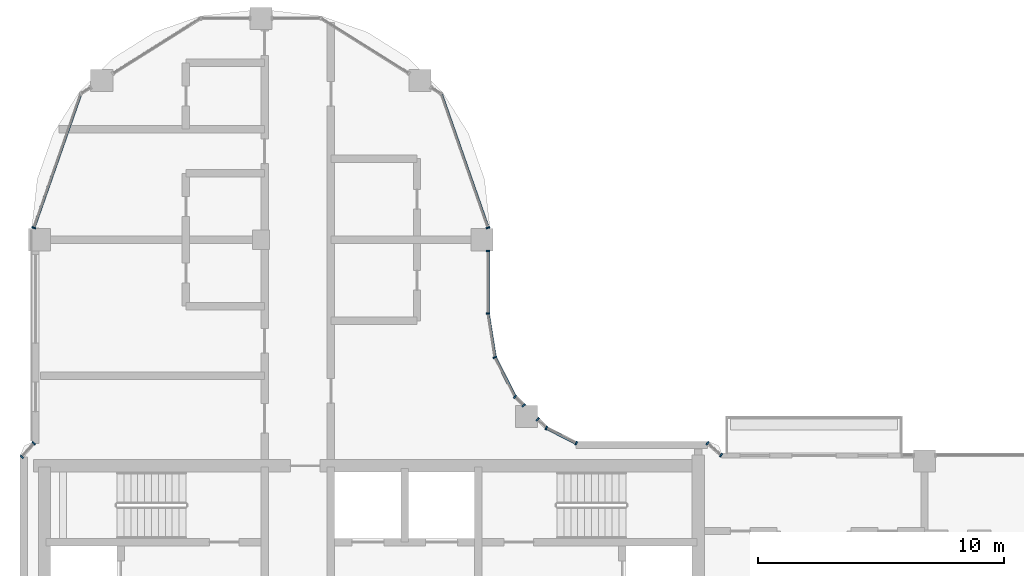
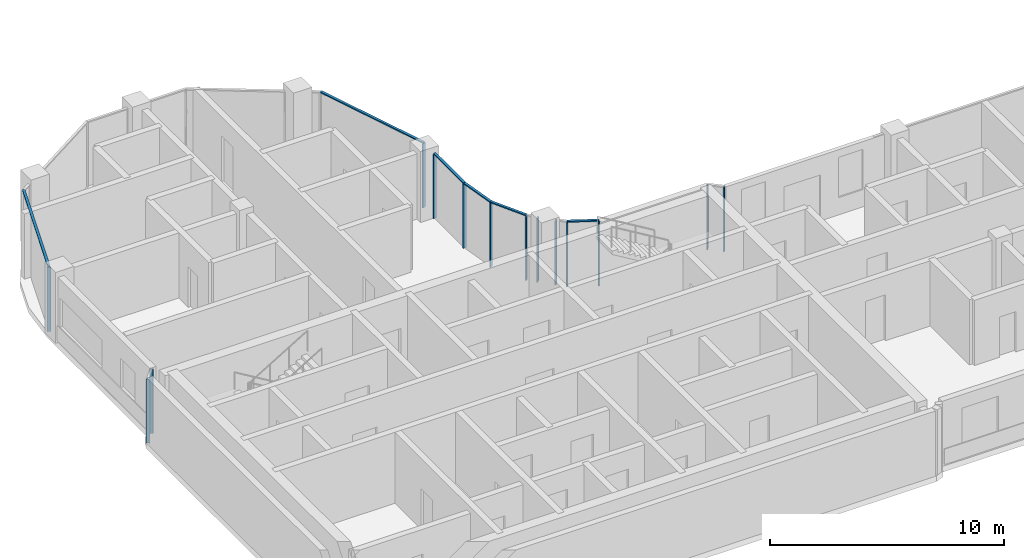
# One storey, part 2 of 19: 20 members, 7 elements without a shape of their own.
"""IFC4 building model written with IfcOpenShell, lengths in metres."""

from ifc_helpers import new_model, si_unit, direction, frame, origin, origin_2d, place, context, subcontext, project, spatial, rectangle, extrude, material, material_profile, profile_set, type_object, element, aggregate, save


model = new_model("IFC4")

# Units and contexts
model_context = context("Model", 3, precision=1e-05, world=origin(), true_north=direction((0.0, 1.0)))
body_context = subcontext(model_context, "Body", "Model", "MODEL_VIEW")
ifc_project = project(units=[si_unit("LENGTHUNIT", "METRE"), si_unit("AREAUNIT", "SQUARE_METRE"), si_unit("VOLUMEUNIT", "CUBIC_METRE"), si_unit("PLANEANGLEUNIT", "RADIAN"), si_unit("MASSUNIT", "GRAM", prefix="KILO")], contexts=[model_context])

# Site, building, storey
site_placement = place(None, origin())
site = spatial("IfcSite", under=ifc_project, at=site_placement, CompositionType="ELEMENT")
building_placement = place(site_placement, origin())
building = spatial("IfcBuilding", under=site, at=building_placement, Name="Ogive Portal Towers", CompositionType="ELEMENT")
storey_placement = place(building_placement, frame((0.0, 0.0, 218.0)))
storey = spatial("IfcBuildingStorey", under=building, at=storey_placement, Name="L54", CompositionType="ELEMENT", Elevation=218.0)

# Curtain wall, members
ifc_material_1 = material(Name="Glass, clear low-iron insulated glazing", Category="glass")
curtain_wall_type = type_object("IfcCurtainWallType", Name="CW FRONT RIBBON 4500", PredefinedType="NOTDEFINED", material=ifc_material_1)
curtain_wall_1_placement = place(storey_placement, origin())
curtain_wall_1 = element("IfcCurtainWall", 1, at=curtain_wall_1_placement, inside=storey, type_object=curtain_wall_type, Name="A:L54:f06:cw0", PredefinedType="NOTDEFINED")
ifc_material_2 = material(Name="Aluminium 6063 anodised", Category="aluminium")
ifc_material_profile_1 = material_profile(ifc_material_2, rectangle(XDim=0.159912109375, YDim=0.06005859375, at=origin_2d()), Name="AL 60x160")
ifc_profile_set_1 = profile_set([ifc_material_profile_1], Name="Aluminium 6063 anodised")
member_type_1 = type_object("IfcMemberType", Name="CW MULLION 60x160", PredefinedType="MULLION", material=ifc_profile_set_1)
member_1_placement = place(storey_placement, frame((49.739990234375, 45.49365234375, 0.0), z_axis=(0.0, 0.0, 1.0), x_axis=(-1.0, 0.0, 0.0)))
member_1 = element("IfcMember", 2, at=member_1_placement, type_object=member_type_1, Name="mullion", PredefinedType="MULLION", context=body_context, shape_type="SweptSolid", body=[
    extrude(rectangle(XDim=0.159912109375, YDim=0.06005859375, at=origin_2d()), origin(), (0.0, 0.0, 1.0), 3.340087890625),
])
member_2_placement = place(storey_placement, frame((49.739990234375, 48.050048828125, 0.0), z_axis=(0.0, 0.0, 1.0), x_axis=(-1.0, 0.0, 0.0)))
member_2 = element("IfcMember", 3, at=member_2_placement, type_object=member_type_1, Name="mullion", PredefinedType="MULLION", context=body_context, shape_type="SweptSolid", body=[
    extrude(rectangle(XDim=0.159912109375, YDim=0.06005859375, at=origin_2d()), origin(), (0.0, 0.0, 1.0), 3.340087890625),
])

curtain_wall_2_placement = place(storey_placement, origin())
curtain_wall_2 = element("IfcCurtainWall", 4, at=curtain_wall_2_placement, inside=storey, type_object=curtain_wall_type, Name="A:L54:f00:cwa", PredefinedType="NOTDEFINED")
member_3_placement = place(storey_placement, frame((59.22021484375, 39.739990234375, 0.0), z_axis=(0.0, 0.0, 1.0), x_axis=(-0.657334513087, -0.753598923768, 0.0)))
member_3 = element("IfcMember", 5, at=member_3_placement, type_object=member_type_1, Name="mullion", PredefinedType="MULLION", context=body_context, shape_type="SweptSolid", body=[
    extrude(rectangle(XDim=0.159912109375, YDim=0.06005859375, at=origin_2d()), origin(), (0.0, 0.0, 1.0), 3.340087890625),
])
member_4_placement = place(storey_placement, frame((58.669921875, 40.219970703125, 0.0), z_axis=(0.0, 0.0, 1.0), x_axis=(-0.657334513087, -0.753598923768, 0.0)))
member_4 = element("IfcMember", 6, at=member_4_placement, type_object=member_type_1, Name="mullion", PredefinedType="MULLION", context=body_context, shape_type="SweptSolid", body=[
    extrude(rectangle(XDim=0.159912109375, YDim=0.06005859375, at=origin_2d()), origin(), (0.0, 0.0, 1.0), 3.340087890625),
])
aggregate(curtain_wall_2, [member_3, member_4])

curtain_wall_3_placement = place(storey_placement, origin())
curtain_wall_3 = element("IfcCurtainWall", 7, at=curtain_wall_3_placement, inside=storey, type_object=curtain_wall_type, Name="A:L54:f02:cwa~0", PredefinedType="NOTDEFINED")
member_5_placement = place(storey_placement, frame((53.3291015625, 40.219970703125, 0.0), z_axis=(0.0, 0.0, 1.0), x_axis=(-0.45399049974, -0.891006524188, 0.0)))
member_5 = element("IfcMember", 8, at=member_5_placement, type_object=member_type_1, Name="mullion", PredefinedType="MULLION", context=body_context, shape_type="SweptSolid", body=[
    extrude(rectangle(XDim=0.159912109375, YDim=0.06005859375, at=origin_2d()), origin(), (0.0, 0.0, 1.0), 3.340087890625),
])
member_6_placement = place(storey_placement, frame((52.11376953125, 40.83935546875, 0.0), z_axis=(0.0, 0.0, 1.0), x_axis=(-0.45399049974, -0.891006524188, 0.0)))
member_6 = element("IfcMember", 9, at=member_6_placement, type_object=member_type_1, Name="mullion", PredefinedType="MULLION", context=body_context, shape_type="SweptSolid", body=[
    extrude(rectangle(XDim=0.159912109375, YDim=0.06005859375, at=origin_2d()), origin(), (0.0, 0.0, 1.0), 3.340087890625),
])
member_7_placement = place(storey_placement, frame((51.760009765625, 41.193115234375, 0.0), z_axis=(0.0, 0.0, 1.0), x_axis=(-0.707106781187, -0.707106781187, 0.0)))
member_7 = element("IfcMember", 10, at=member_7_placement, type_object=member_type_1, Name="mullion", PredefinedType="MULLION", context=body_context, shape_type="SweptSolid", body=[
    extrude(rectangle(XDim=0.159912109375, YDim=0.06005859375, at=origin_2d()), origin(), (0.0, 0.0, 1.0), 3.340087890625),
])

curtain_wall_4_placement = place(storey_placement, origin())
curtain_wall_4 = element("IfcCurtainWall", 11, at=curtain_wall_4_placement, inside=storey, type_object=curtain_wall_type, Name="A:L54:f02:cwa~1", PredefinedType="NOTDEFINED")
member_8_placement = place(storey_placement, frame((51.193115234375, 41.760009765625, 0.0), z_axis=(0.0, 0.0, 1.0), x_axis=(-0.707106781187, -0.707106781187, 0.0)))
member_8 = element("IfcMember", 12, at=member_8_placement, type_object=member_type_1, Name="mullion", PredefinedType="MULLION", context=body_context, shape_type="SweptSolid", body=[
    extrude(rectangle(XDim=0.159912109375, YDim=0.06005859375, at=origin_2d()), origin(), (0.0, 0.0, 1.0), 3.340087890625),
])
member_9_placement = place(storey_placement, frame((50.83935546875, 42.11376953125, 0.0), z_axis=(0.0, 0.0, 1.0), x_axis=(-0.707106781187, -0.707106781187, 0.0)))
member_9 = element("IfcMember", 13, at=member_9_placement, type_object=member_type_1, Name="mullion", PredefinedType="MULLION", context=body_context, shape_type="SweptSolid", body=[
    extrude(rectangle(XDim=0.159912109375, YDim=0.06005859375, at=origin_2d()), origin(), (0.0, 0.0, 1.0), 3.340087890625),
])
member_10_placement = place(storey_placement, frame((50.02099609375, 43.7197265625, 0.0), z_axis=(0.0, 0.0, 1.0), x_axis=(-0.891006524188, -0.45399049974, 0.0)))
member_10 = element("IfcMember", 14, at=member_10_placement, type_object=member_type_1, Name="mullion", PredefinedType="MULLION", context=body_context, shape_type="SweptSolid", body=[
    extrude(rectangle(XDim=0.159912109375, YDim=0.06005859375, at=origin_2d()), origin(), (0.0, 0.0, 1.0), 3.340087890625),
])

# Curtain wall, member
curtain_wall_5_placement = place(storey_placement, origin())
curtain_wall_5 = element("IfcCurtainWall", 15, at=curtain_wall_5_placement, inside=storey, type_object=curtain_wall_type, Name="A:L54:f07:cwa~0", PredefinedType="NOTDEFINED")
member_11_placement = place(storey_placement, frame((49.739990234375, 48.986328125, 0.0), z_axis=(0.0, 0.0, 1.0), x_axis=(-0.943883330307, -0.33027906196, 0.0)))
member_11 = element("IfcMember", 16, at=member_11_placement, type_object=member_type_1, Name="mullion", PredefinedType="MULLION", context=body_context, shape_type="SweptSolid", body=[
    extrude(rectangle(XDim=0.159912109375, YDim=0.06005859375, at=origin_2d()), origin(), (0.0, 0.0, 1.0), 3.340087890625),
])

curtain_wall_6_placement = place(storey_placement, origin())
curtain_wall_6 = element("IfcCurtainWall", 17, at=curtain_wall_6_placement, inside=storey, type_object=curtain_wall_type, Name="A:L54:f07:cwa~3", PredefinedType="NOTDEFINED")
member_12_placement = place(storey_placement, frame((31.260009765625, 48.986328125, 0.0), z_axis=(0.0, 0.0, 1.0), x_axis=(0.943883330307, -0.33027906196, 0.0)))
member_12 = element("IfcMember", 18, at=member_12_placement, type_object=member_type_1, Name="mullion", PredefinedType="MULLION", context=body_context, shape_type="SweptSolid", body=[
    extrude(rectangle(XDim=0.159912109375, YDim=0.06005859375, at=origin_2d()), origin(), (0.0, 0.0, 1.0), 3.340087890625),
])

# Curtain wall, members
curtain_wall_7_placement = place(storey_placement, origin())
curtain_wall_7 = element("IfcCurtainWall", 19, at=curtain_wall_7_placement, inside=storey, type_object=curtain_wall_type, Name="A:L54:f13:cwa", PredefinedType="NOTDEFINED")
member_13_placement = place(storey_placement, frame((31.260009765625, 40.22021484375, 0.0), z_axis=(0.0, 0.0, 1.0), x_axis=(0.753598923768, -0.657334513087, 0.0)))
member_13 = element("IfcMember", 20, at=member_13_placement, type_object=member_type_1, Name="mullion", PredefinedType="MULLION", context=body_context, shape_type="SweptSolid", body=[
    extrude(rectangle(XDim=0.159912109375, YDim=0.06005859375, at=origin_2d()), origin(), (0.0, 0.0, 1.0), 3.340087890625),
])
member_14_placement = place(storey_placement, frame((30.780029296875, 39.669921875, 0.0), z_axis=(0.0, 0.0, 1.0), x_axis=(0.753598923768, -0.657334513087, 0.0)))
member_14 = element("IfcMember", 21, at=member_14_placement, type_object=member_type_1, Name="mullion", PredefinedType="MULLION", context=body_context, shape_type="SweptSolid", body=[
    extrude(rectangle(XDim=0.159912109375, YDim=0.06005859375, at=origin_2d()), origin(), (0.0, 0.0, 1.0), 3.340087890625),
])
aggregate(curtain_wall_7, [member_13, member_14])

# Member
ifc_material_profile_2 = material_profile(ifc_material_2, rectangle(XDim=0.1201171875, YDim=0.06005859375, at=origin_2d()), Name="AL 120x60")
ifc_profile_set_2 = profile_set([ifc_material_profile_2], Name="Aluminium 6063 anodised")
member_type_2 = type_object("IfcMemberType", Name="CW TRANSOM 60x120", PredefinedType="USERDEFINED", material=ifc_profile_set_2)
member_15_placement = place(storey_placement, frame((49.739990234375, 45.49365234375, 3.3701171875), z_axis=(0.0, 1.0, 0.0), x_axis=(-1.0, 0.0, 0.0)))
member_15 = element("IfcMember", 22, at=member_15_placement, type_object=member_type_2, Name="transom", ObjectType="TRANSOM", PredefinedType="USERDEFINED", context=body_context, shape_type="SweptSolid", body=[
    extrude(rectangle(XDim=0.1201171875, YDim=0.06005859375, at=origin_2d()), origin(), (0.0, 0.0, 1.0), 2.556396484375),
])

aggregate(curtain_wall_1, [member_15, member_1, member_2])

member_16_placement = place(storey_placement, frame((53.3291015625, 40.219970703125, 3.3701171875), z_axis=(-0.890964361459, 0.454073239257, 0.0), x_axis=(-0.454073239257, -0.890964361459, 0.0)))
member_16 = element("IfcMember", 23, at=member_16_placement, type_object=member_type_2, Name="transom", ObjectType="TRANSOM", PredefinedType="USERDEFINED", context=body_context, shape_type="SweptSolid", body=[
    extrude(rectangle(XDim=0.1201171875, YDim=0.06005859375, at=origin_2d()), origin(), (0.0, 0.0, 1.0), 1.364013671875),
])

aggregate(curtain_wall_3, [member_16, member_5, member_6, member_7])

member_17_placement = place(storey_placement, frame((50.83935546875, 42.11376953125, 3.3701171875), z_axis=(-0.45402723172, 0.890987807356, 0.0), x_axis=(-0.890987807356, -0.45402723172, 0.0)))
member_17 = element("IfcMember", 24, at=member_17_placement, type_object=member_type_2, Name="transom", ObjectType="TRANSOM", PredefinedType="USERDEFINED", context=body_context, shape_type="SweptSolid", body=[
    extrude(rectangle(XDim=0.1201171875, YDim=0.06005859375, at=origin_2d()), origin(), (0.0, 0.0, 1.0), 1.802490234375),
])

member_18_placement = place(storey_placement, frame((50.02099609375, 43.7197265625, 3.3701171875), z_axis=(-0.156458155909, 0.987684588039, 0.0), x_axis=(-0.987684588039, -0.156458155909, 0.0)))
member_18 = element("IfcMember", 25, at=member_18_placement, type_object=member_type_2, Name="transom", ObjectType="TRANSOM", PredefinedType="USERDEFINED", context=body_context, shape_type="SweptSolid", body=[
    extrude(rectangle(XDim=0.1201171875, YDim=0.06005859375, at=origin_2d()), origin(), (0.0, 0.0, 1.0), 1.796142578125),
])

aggregate(curtain_wall_4, [member_17, member_18, member_8, member_9, member_10])

member_19_placement = place(storey_placement, frame((49.739990234375, 48.986328125, 3.3701171875), z_axis=(-0.330260183701, 0.943889935883, 0.0), x_axis=(-0.943889935883, -0.330260183701, 0.0)))
member_19 = element("IfcMember", 26, at=member_19_placement, type_object=member_type_2, Name="transom", ObjectType="TRANSOM", PredefinedType="USERDEFINED", context=body_context, shape_type="SweptSolid", body=[
    extrude(rectangle(XDim=0.1201171875, YDim=0.06005859375, at=origin_2d()), origin(), (0.0, 0.0, 1.0), 5.784423828125),
])

aggregate(curtain_wall_5, [member_19, member_11])

member_20_placement = place(storey_placement, frame((33.17041015625, 54.4462890625, 3.3701171875), z_axis=(-0.330260183701, -0.943889935883, 0.0), x_axis=(0.943889935883, -0.330260183701, 0.0)))
member_20 = element("IfcMember", 27, at=member_20_placement, type_object=member_type_2, Name="transom", ObjectType="TRANSOM", PredefinedType="USERDEFINED", context=body_context, shape_type="SweptSolid", body=[
    extrude(rectangle(XDim=0.1201171875, YDim=0.06005859375, at=origin_2d()), origin(), (0.0, 0.0, 1.0), 5.784423828125),
])

aggregate(curtain_wall_6, [member_20, member_12])

save(model, "model.ifc")
